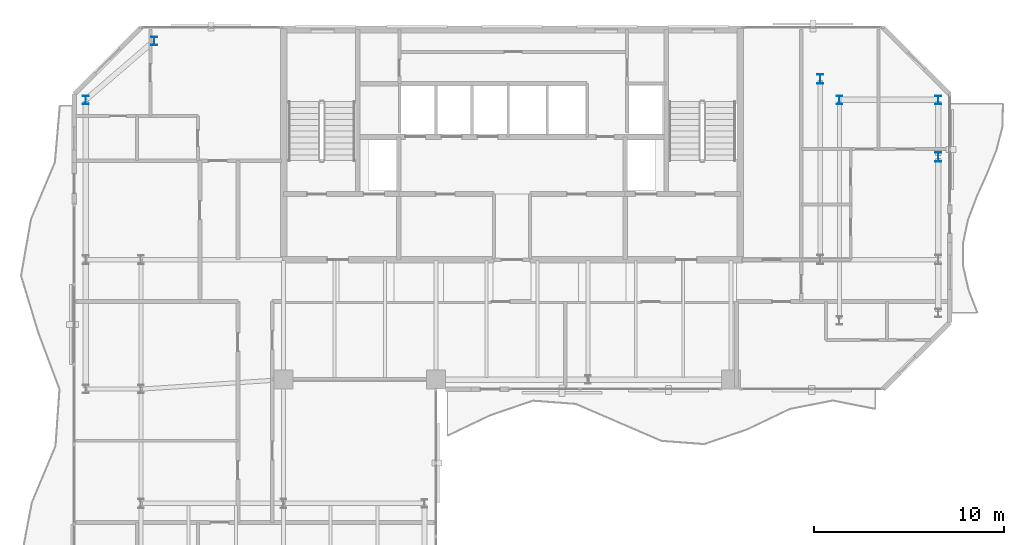
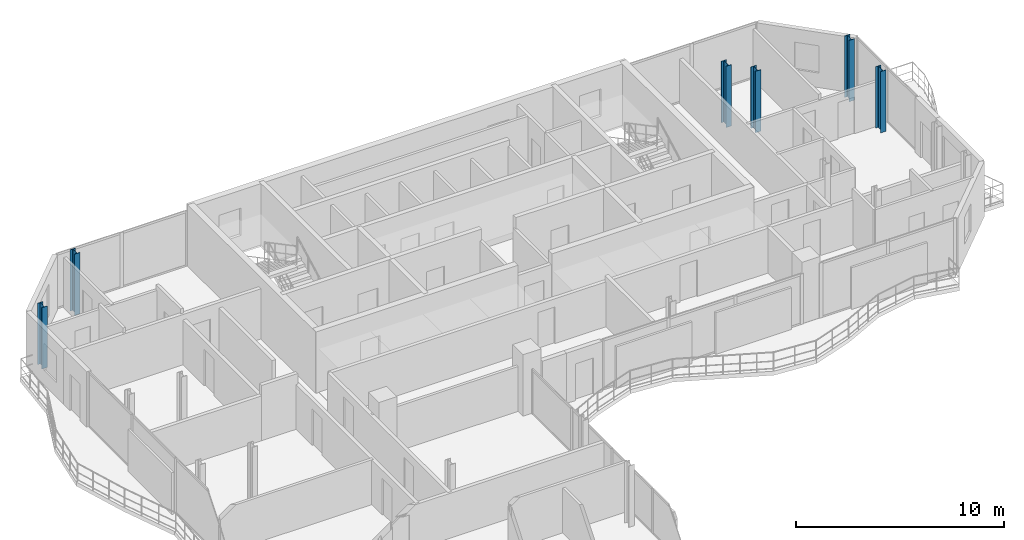
# One storey, part 2 of 23: 6 columns.
"""IFC4 building model written with IfcOpenShell, lengths in metres."""

from ifc_helpers import new_model, si_unit, direction, frame, origin, origin_2d, place, context, subcontext, project, spatial, i_section, extrude, material, material_profile, profile_set, type_object, element, save


model = new_model("IFC4")

# Units and contexts
model_context = context("Model", 3, precision=1e-05, world=origin(), true_north=direction((0.0, 1.0)))
body_context = subcontext(model_context, "Body", "Model", "MODEL_VIEW")
ifc_project = project(units=[si_unit("LENGTHUNIT", "METRE"), si_unit("AREAUNIT", "SQUARE_METRE"), si_unit("VOLUMEUNIT", "CUBIC_METRE"), si_unit("PLANEANGLEUNIT", "RADIAN"), si_unit("MASSUNIT", "GRAM", prefix="KILO")], contexts=[model_context])

# Site, building, storey
site_placement = place(None, origin())
site = spatial("IfcSite", under=ifc_project, at=site_placement, CompositionType="ELEMENT")
building_placement = place(site_placement, origin())
building = spatial("IfcBuilding", under=site, at=building_placement, Name="Catumbela Crestline Tower", CompositionType="ELEMENT")
storey_placement = place(building_placement, frame((0.0, 0.0, 204.6)))
storey = spatial("IfcBuildingStorey", under=building, at=storey_placement, Name="L53", CompositionType="ELEMENT", Elevation=204.6)

# Columns
ifc_material = material(Name="Structural steel S355J2", Category="steel")
ifc_material_profile_1 = material_profile(ifc_material, i_section(OverallWidth=0.3, OverallDepth=0.45, WebThickness=0.014, FlangeThickness=0.026, FilletRadius=0.027, at=origin_2d()), Name="HEB 450")
ifc_profile_set_1 = profile_set([ifc_material_profile_1], Name="Structural steel S355J2")
column_type_1 = type_object("IfcColumnType", Name="C-ST-HEB450", PredefinedType="COLUMN", material=ifc_profile_set_1)
for number, where, z_axis, x_axis, name in (
    (1, (5.6, 39.2, 0.0), (0.0, 0.0, 1.0), (1.0, 0.0, 0.0), "L53 Column C-05-43 (HEB 450)"),
    (2, (9.2, 42.3, 0.0), (0.0, 0.0, 1.0), (1.0, 0.0, 0.0), "L53 Column C-08-43 (HEB 450)"),
    (3, (45.2, 39.2, 0.0), (0.0, 0.0, 1.0), (1.0, 0.0, 0.0), "L53 Column C-46-43 (HEB 450)"),
    (4, (50.4, 39.2, 0.0), (0.0, 0.0, 1.0), (1.0, 0.0, 0.0), "L53 Column C-51-43 (HEB 450)"),
):
    element("IfcColumn", number, at=place(storey_placement, frame(where, z_axis=z_axis, x_axis=x_axis)), inside=storey, type_object=column_type_1, Name=name, PredefinedType="COLUMN", context=body_context, shape_type="SweptSolid", body=[
        extrude(i_section(OverallWidth=0.3, OverallDepth=0.45, WebThickness=0.014, FlangeThickness=0.026, FilletRadius=0.027, at=origin_2d()), origin(), (0.0, 0.0, 1.0), 3.6),
    ])
ifc_material_profile_2 = material_profile(ifc_material, i_section(OverallWidth=0.3, OverallDepth=0.5, WebThickness=0.0145, FlangeThickness=0.028, FilletRadius=0.027, at=origin_2d()), Name="HEB 500")
ifc_profile_set_2 = profile_set([ifc_material_profile_2], Name="Structural steel S355J2")
column_type_2 = type_object("IfcColumnType", Name="C-ST-HEB500", PredefinedType="COLUMN", material=ifc_profile_set_2)
for number, where, z_axis, x_axis, name in (
    (5, (44.2, 40.3, 0.0), (0.0, 0.0, 1.0), (1.0, 0.0, 0.0), "L53 Column CT-46-37 (HEB 500)"),
    (6, (50.4, 36.2, 0.0), (0.0, 0.0, 1.0), (1.0, 0.0, 0.0), "L53 Column CT-51-37 (HEB 500)"),
):
    element("IfcColumn", number, at=place(storey_placement, frame(where, z_axis=z_axis, x_axis=x_axis)), inside=storey, type_object=column_type_2, Name=name, PredefinedType="COLUMN", context=body_context, shape_type="SweptSolid", body=[
        extrude(i_section(OverallWidth=0.3, OverallDepth=0.5, WebThickness=0.0145, FlangeThickness=0.028, FilletRadius=0.027, at=origin_2d()), origin(), (0.0, 0.0, 1.0), 3.6),
    ])

save(model, "model.ifc")
